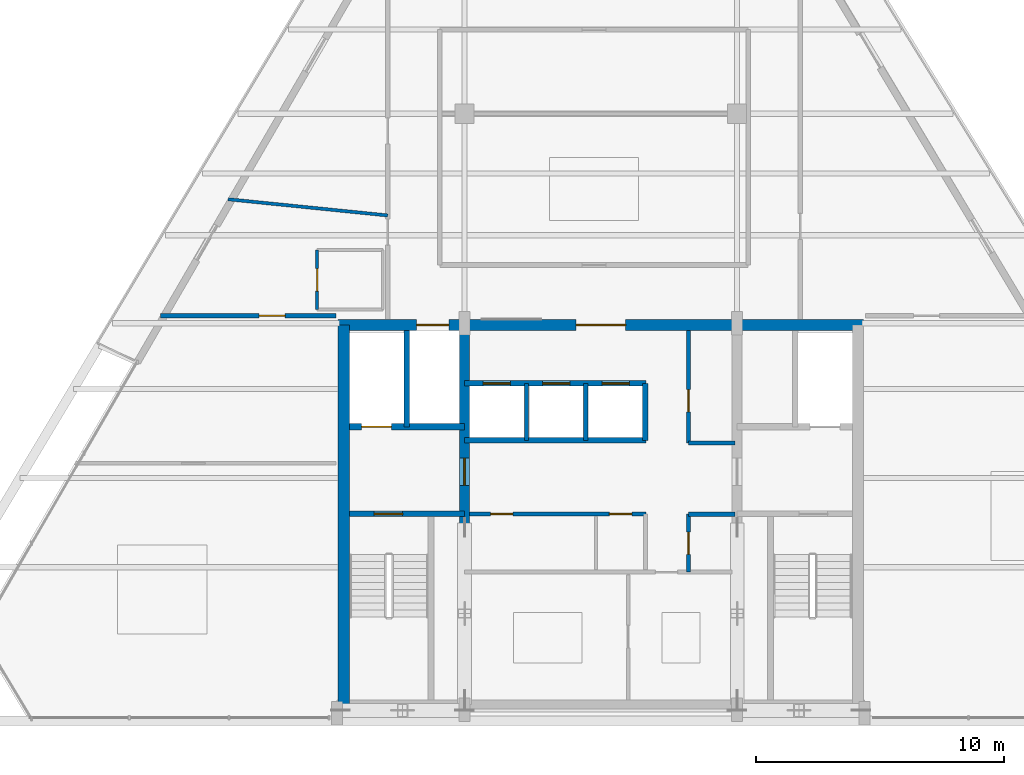
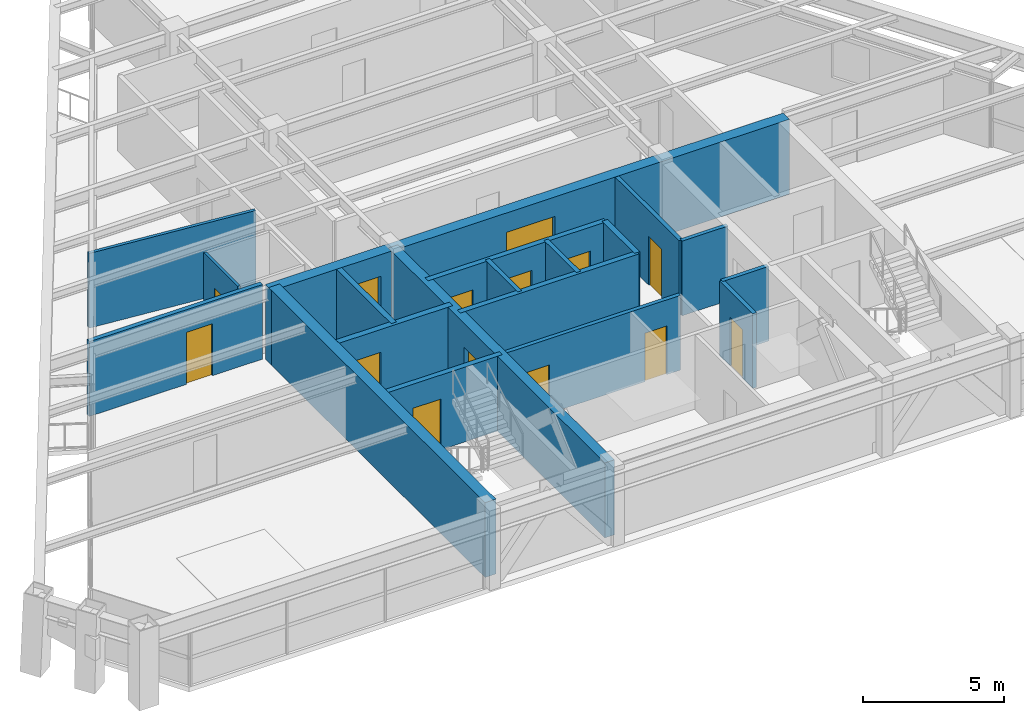
# One storey, part 9 of 13: 19 walls, 14 doors, 14 openings.
"""IFC4 building model written with IfcOpenShell, lengths in metres."""

import ifcopenshell
import ifcopenshell.guid

model = None  # the IFC model being written
_history = None  # IfcOwnerHistory: only IFC2X3 demands one
_inside = {}  # id of a spatial element -> (the spatial element, [elements in it])
_under = {}  # id of a project, library or spatial element -> (it, [spatial elements below it])
_declared = {}  # id of a project -> (the project, [libraries it declares])
_typed = {}  # id of a type object -> (the type object, [elements of that type])
_made_of = {}  # id of a material, layer set ... -> (it, [elements and type objects made of it])


def new_model(schema):
    """Start an empty IFC model of exactly this schema.

    Asked for "IFC4X3", IfcOpenShell would pick the latest addendum, in which some entities
    have other attributes; the version numbers below select the first issue.
    IFC2X3 requires an IfcOwnerHistory on every rooted entity: one is made here for all.
    """
    global model, _history
    if schema == "IFC4X3":
        model = ifcopenshell.file(schema_version=(4, 3, 0, 0))
    else:
        model = ifcopenshell.file(schema=schema)
    _inside.clear()
    _under.clear()
    _declared.clear()
    _typed.clear()
    _made_of.clear()
    _history = None
    if model.schema == "IFC2X3":
        org = make("IfcOrganization", Name="unknown")
        user = make(
            "IfcPersonAndOrganization",
            ThePerson=make("IfcPerson", FamilyName="unknown"),
            TheOrganization=org,
        )
        app = make(
            "IfcApplication",
            ApplicationDeveloper=org,
            Version="unknown",
            ApplicationFullName="unknown",
            ApplicationIdentifier="unknown",
        )
        _history = make(
            "IfcOwnerHistory",
            OwningUser=user,
            OwningApplication=app,
            ChangeAction="ADDED",
            CreationDate=0,
        )
    return model


def make(cls, **values):
    """One entity of the class cls with the attributes given. An attribute that is None is left unset."""
    return model.create_entity(
        cls, **{name: value for name, value in values.items() if value is not None}
    )


def rooted(cls, **values):
    """An entity with a GlobalId (a new one), such as an element, a storey or a relation."""
    return make(cls, GlobalId=ifcopenshell.guid.new(), OwnerHistory=_history, **values)


def si_unit(unit_type, name, prefix=None):
    """IfcSIUnit, for example si_unit("LENGTHUNIT", "METRE", prefix="MILLI")."""
    return make("IfcSIUnit", UnitType=unit_type, Prefix=prefix, Name=name)


def assignment(units):
    """IfcUnitAssignment: the units of a project."""
    return None if units is None else make("IfcUnitAssignment", Units=units)


def point(xyz):
    """IfcCartesianPoint."""
    return None if xyz is None else make("IfcCartesianPoint", Coordinates=xyz)


def direction(xyz):
    """IfcDirection."""
    return None if xyz is None else make("IfcDirection", DirectionRatios=xyz)


def frame(location, z_axis=None, x_axis=None):
    """IfcAxis2Placement3D, a coordinate frame: its origin and axes. An axis left out is left unset."""
    return make(
        "IfcAxis2Placement3D",
        Location=point(location),
        Axis=direction(z_axis),
        RefDirection=direction(x_axis),
    )


def frame_2d(location, x_axis=None):
    """IfcAxis2Placement2D, a coordinate frame in the plane: its origin and x axis."""
    return make(
        "IfcAxis2Placement2D", Location=point(location), RefDirection=direction(x_axis)
    )


def origin():
    """The frame at (0, 0, 0) with its axes left unset."""
    return frame((0.0, 0.0, 0.0))


def place(relative_to, where):
    """IfcLocalPlacement: puts the frame where relative to a parent placement (None: the world)."""
    return make(
        "IfcLocalPlacement", PlacementRelTo=relative_to, RelativePlacement=where
    )


def context(
    kind, dimensions, precision=None, world=None, true_north=None, identifier=None
):
    """IfcGeometricRepresentationContext, for example the 3D "Model" context."""
    return make(
        "IfcGeometricRepresentationContext",
        ContextIdentifier=identifier,
        ContextType=kind,
        CoordinateSpaceDimension=dimensions,
        Precision=precision,
        WorldCoordinateSystem=world,
        TrueNorth=true_north,
    )


def subcontext(parent, identifier, kind, view, scale=None):
    """IfcGeometricRepresentationSubContext, for example "Body" below "Model"."""
    return make(
        "IfcGeometricRepresentationSubContext",
        ContextIdentifier=identifier,
        ContextType=kind,
        ParentContext=parent,
        TargetScale=scale,
        TargetView=view,
    )


def project(units=None, contexts=None):
    """IfcProject with its units and contexts."""
    return rooted(
        "IfcProject",
        Name="project",
        RepresentationContexts=contexts,
        UnitsInContext=assignment(units),
    )


def spatial(cls, under=None, at=None, **own):
    """A site, building, storey or space (cls), placed at a placement, below another one or the project."""
    s = rooted(cls, ObjectPlacement=at, **own)
    if under is not None:
        _under.setdefault(under.id(), (under, []))[1].append(s)
    return s


def profile(cls, at=None, kind="AREA", **sizes):
    """A parametric profile (cls). Its sizes go by their IFC names, for example OverallWidth=200.0."""
    return make(cls, ProfileType=kind, Position=at, **sizes)


def rectangle(**sizes):
    """IfcRectangleProfileDef."""
    return profile("IfcRectangleProfileDef", **sizes)


def extrude(swept, where, along, depth):
    """IfcExtrudedAreaSolid: the profile swept, set in the frame where, extruded along a direction by depth."""
    return make(
        "IfcExtrudedAreaSolid",
        SweptArea=swept,
        Position=where,
        ExtrudedDirection=direction(along),
        Depth=depth,
    )


def shape(context_of_items, identifier, shape_type, items):
    """IfcShapeRepresentation: the items that make up one representation, for example the "Body"."""
    return make(
        "IfcShapeRepresentation",
        ContextOfItems=context_of_items,
        RepresentationIdentifier=identifier,
        RepresentationType=shape_type,
        Items=items,
    )


def source(mapping_origin, context_of_items, identifier, shape_type, items):
    """IfcRepresentationMap: a shape defined once, which mapped items show again and again."""
    return make(
        "IfcRepresentationMap",
        MappingOrigin=mapping_origin,
        MappedRepresentation=shape(context_of_items, identifier, shape_type, items),
    )


def transform(
    local_origin,
    x_axis=None,
    y_axis=None,
    z_axis=None,
    scale=None,
    scale2=None,
    scale3=None,
    uniform=True,
):
    """IfcCartesianTransformationOperator3D, or its non-uniform kind. x_axis, y_axis, z_axis: its Axis1, 2, 3."""
    if uniform:
        return make(
            "IfcCartesianTransformationOperator3D",
            Axis1=direction(x_axis),
            Axis2=direction(y_axis),
            LocalOrigin=point(local_origin),
            Scale=scale,
            Axis3=direction(z_axis),
        )
    return make(
        "IfcCartesianTransformationOperator3DnonUniform",
        Axis1=direction(x_axis),
        Axis2=direction(y_axis),
        LocalOrigin=point(local_origin),
        Scale=scale,
        Axis3=direction(z_axis),
        Scale2=scale2,
        Scale3=scale3,
    )


def mapped(mapping_source, mapping_target):
    """IfcMappedItem: shows the shape of a source again, moved by a transform."""
    return make(
        "IfcMappedItem", MappingSource=mapping_source, MappingTarget=mapping_target
    )


def material(Name=None, Category=None):
    """IfcMaterial."""
    return make("IfcMaterial", Name=Name, Category=Category)


def layer(
    of_material, thickness, ventilated=None, Name=None, Category=None, Priority=None
):
    """IfcMaterialLayer: one layer of a wall or slab, of a material (None: an air gap)."""
    return make(
        "IfcMaterialLayer",
        Material=of_material,
        LayerThickness=thickness,
        IsVentilated=ventilated,
        Name=Name,
        Category=Category,
        Priority=Priority,
    )


def layer_set(layers, Name=None):
    """IfcMaterialLayerSet."""
    return make("IfcMaterialLayerSet", MaterialLayers=layers, LayerSetName=Name)


def made_of(thing, what):
    """Note that an element or type object is made of a material, layer set ...; save() writes the relation."""
    if what is not None:
        _made_of.setdefault(what.id(), (what, []))[1].append(thing)
    return thing


def type_object(cls, material=None, **own):
    """A type object (cls), such as IfcWallType, which elements share."""
    return made_of(rooted(cls, **own), material)


def type_shapes(of_type, sources):
    """Give a type object the sources (RepresentationMaps) that its elements show as mapped items."""
    of_type.RepresentationMaps = sources


def element(
    cls,
    number,
    at=None,
    inside=None,
    cuts=None,
    type_object=None,
    material=None,
    context=None,
    identifier="Body",
    shape_type=None,
    held_by="IfcProductDefinitionShape",
    body=None,
    shapes=None,
    **own,
):
    """One element of the class cls, such as IfcWall. Its Tag is "e" and its number.

    at: its placement. inside: the storey or other place that contains it. cuts: it is an
    opening in that element (IfcRelVoidsElement). A single representation is given by context,
    identifier, shape_type and body (its items); several are given by shapes. held_by: the class
    of the entity that holds the representations. save() writes the other relations.
    """
    e = rooted(cls, Tag="e%d" % number, ObjectPlacement=at, **own)
    if body is not None:
        shapes = [shape(context, identifier, shape_type, body)]
    if shapes is not None:
        e.Representation = make(held_by, Representations=shapes)
    if inside is not None:
        _inside.setdefault(inside.id(), (inside, []))[1].append(e)
    if cuts is not None:
        rooted(
            "IfcRelVoidsElement", RelatingBuildingElement=cuts, RelatedOpeningElement=e
        )
    if type_object is not None:
        _typed.setdefault(type_object.id(), (type_object, []))[1].append(e)
    return made_of(e, material)


def fill(opening, filler):
    """IfcRelFillsElement: the door or window that sits in an opening."""
    return rooted(
        "IfcRelFillsElement",
        RelatingOpeningElement=opening,
        RelatedBuildingElement=filler,
    )


def aggregate(whole, parts):
    """IfcRelAggregates: a whole, such as a stair, and the parts it consists of."""
    return rooted("IfcRelAggregates", RelatingObject=whole, RelatedObjects=parts)


def save(model, path):
    """Write the relations noted so far, then the file.

    IfcRelAggregates (storeys below a building ...), IfcRelContainedInSpatialStructure (elements
    in a storey), IfcRelDefinesByType, IfcRelAssociatesMaterial and IfcRelDeclares: one each for
    every whole, place, type object, material and project.
    """
    for whole, parts in _under.values():
        aggregate(whole, parts)
    for where, things in _inside.values():
        rooted(
            "IfcRelContainedInSpatialStructure",
            RelatedElements=things,
            RelatingStructure=where,
        )
    for kind, things in _typed.values():
        rooted("IfcRelDefinesByType", RelatedObjects=things, RelatingType=kind)
    for what, things in _made_of.values():
        rooted("IfcRelAssociatesMaterial", RelatedObjects=things, RelatingMaterial=what)
    for by, libraries in _declared.values():
        rooted("IfcRelDeclares", RelatingContext=by, RelatedDefinitions=libraries)
    model.write(path)


model = new_model("IFC4")

# Units and contexts
model_context = context("Model", 3, precision=1e-05, world=origin(), true_north=direction((0.0, 1.0)))
body_context = subcontext(model_context, "Body", "Model", "MODEL_VIEW")
ifc_project = project(units=[si_unit("LENGTHUNIT", "METRE"), si_unit("AREAUNIT", "SQUARE_METRE"), si_unit("VOLUMEUNIT", "CUBIC_METRE"), si_unit("PLANEANGLEUNIT", "RADIAN"), si_unit("MASSUNIT", "GRAM", prefix="KILO")], contexts=[model_context])

# Site, building, storey
site_placement = place(None, origin())
site = spatial("IfcSite", under=ifc_project, at=site_placement, CompositionType="ELEMENT")
building_placement = place(site_placement, origin())
building = spatial("IfcBuilding", under=site, at=building_placement, Name="Varnakhor Terracotta Tower", CompositionType="ELEMENT")
storey_placement = place(building_placement, frame((0.0, 0.0, 266.10009765625)))
storey = spatial("IfcBuildingStorey", under=building, at=storey_placement, Name="L69", CompositionType="ELEMENT", Elevation=266.10009765625)

# Wall, opening, door
ifc_material_1 = material(Name="Moisture-Resistant Tile-Backed Partition", Category="gypsum")
ifc_layer_1 = layer(ifc_material_1, 0.114990234375, Name="Moisture-Resistant Tile-Backed Partition")
ifc_layer_set_1 = layer_set([ifc_layer_1], Name="Moisture-Resistant Tile-Backed Partition")
wall_type_1 = type_object("IfcWallType", Name="WAL-BATH-115", PredefinedType="PARTITIONING", material=ifc_layer_set_1)
wall_1_placement = place(storey_placement, frame((-11.449951171875, 16.60009765625, 0.0), z_axis=(0.0, 0.0, 1.0), x_axis=(0.0, 1.0, 0.0)))
wall_1 = element("IfcWall", 1, at=wall_1_placement, inside=storey, type_object=wall_type_1, Name="L69 En-Suite 1 Wall W", PredefinedType="PARTITIONING", context=body_context, shape_type="SweptSolid", body=[
    extrude(rectangle(XDim=2.39990234375, YDim=0.114990234375, at=frame_2d((1.199951171875, 0.0))), origin(), (0.0, 0.0, 1.0), 3.23193359375),
])
opening_1_placement = place(wall_1_placement, frame((0.75, 0.0, 0.0)))
opening_1 = element("IfcOpeningElement", 2, at=opening_1_placement, cuts=wall_1, Name="Opening DR-93", PredefinedType="OPENING", context=body_context, shape_type="SweptSolid", body=[
    extrude(rectangle(XDim=0.89990234375, YDim=2.14990234375, at=frame_2d((0.449951171875, 1.074951171875))), frame((0.0, 0.0673828125, 0.0), z_axis=(0.0, -1.0, 0.0), x_axis=(1.0, 0.0, 0.0)), (0.0, 0.0, 1.0), 0.135009765625),
])
ifc_material_2 = material(Name="Moisture-Resistant Accessible Bathroom Door", Category="wood")
door_type_1 = type_object("IfcDoorType", Name="DR-BATH-900X2150", OperationType="NOTDEFINED", PredefinedType="DOOR", material=ifc_material_2)
shared_shape_1 = source(origin(), body_context, "Body", "SweptSolid", [
    extrude(rectangle(XDim=0.89990234375, YDim=2.14990234375, at=frame_2d((0.449951171875, 1.074951171875))), frame((0.0, 0.02490234375, 0.0), z_axis=(0.0, -1.0, 0.0), x_axis=(1.0, 0.0, 0.0)), (0.0, 0.0, 1.0), 0.050048828125),
])
type_shapes(door_type_1, [shared_shape_1])
door_1_placement = place(opening_1_placement, origin())
door_1 = element("IfcDoor", 3, at=door_1_placement, inside=storey, type_object=door_type_1, Name="L69 En-Suite Bathroom 1 Door", OperationType="SINGLE_SWING_RIGHT", OverallHeight=2.14990234375, OverallWidth=0.89990234375, PredefinedType="DOOR", context=body_context, shape_type="MappedRepresentation", body=[
    mapped(shared_shape_1, transform((0.0, 0.0, 0.0), scale=1.0)),
])
fill(opening_1, door_1)

# Wall, openings, doors
ifc_material_3 = material(Name="Concrete C50/60", Category="concrete")
ifc_layer_2 = layer(ifc_material_3, 0.449951171875, Name="Concrete C50/60")
ifc_layer_set_2 = layer_set([ifc_layer_2], Name="Concrete C50/60")
wall_type_2 = type_object("IfcWallType", Name="WAL-CORE-450", PredefinedType="SHEAR", material=ifc_layer_set_2)
wall_2_placement = place(storey_placement, frame((-10.60009765625, 15.97509765625, 0.0), z_axis=(0.0, 0.0, 1.0), x_axis=(1.0, 0.0, 0.0)))
wall_2 = element("IfcWall", 4, at=wall_2_placement, inside=storey, type_object=wall_type_2, Name="L69 North Core Shear Wall", PredefinedType="SHEAR", context=body_context, shape_type="SweptSolid", body=[
    extrude(rectangle(XDim=21.2001953125, YDim=0.449951171875, at=frame_2d((10.60009765625, 0.0))), origin(), (0.0, 0.0, 1.0), 3.239990234375),
])
opening_2_placement = place(wall_2_placement, frame((3.169921875, 0.0, 0.0)))
opening_2 = element("IfcOpeningElement", 5, at=opening_2_placement, cuts=wall_2, Name="Opening LD-03", PredefinedType="OPENING", context=body_context, shape_type="SweptSolid", body=[
    extrude(rectangle(XDim=1.300048828125, YDim=2.300048828125, at=frame_2d((0.64990234375, 1.14990234375))), frame((0.0, 0.23486328125, 0.0), z_axis=(0.0, -1.0, 0.0), x_axis=(1.0, 0.0, 0.0)), (0.0, 0.0, 1.0), 0.469970703125),
])
opening_3_placement = place(wall_2_placement, frame((9.60009765625, 0.0, 0.0)))
opening_3 = element("IfcOpeningElement", 6, at=opening_3_placement, cuts=wall_2, Name="Opening DR-32", PredefinedType="OPENING", context=body_context, shape_type="SweptSolid", body=[
    extrude(rectangle(XDim=2.0, YDim=2.39990234375, at=frame_2d((1.0, 1.199951171875))), frame((0.0, 0.23486328125, 0.0), z_axis=(0.0, -1.0, 0.0), x_axis=(1.0, 0.0, 0.0)), (0.0, 0.0, 1.0), 0.469970703125),
])
ifc_material_4 = material(Name="Heavy-Duty Goods Sliding Lift Landing Door", Category="steel")
door_type_2 = type_object("IfcDoorType", Name="LD-SRV-1300X2300", OperationType="NOTDEFINED", PredefinedType="DOOR", material=ifc_material_4)
shared_shape_2 = source(origin(), body_context, "Body", "SweptSolid", [
    extrude(rectangle(XDim=1.300048828125, YDim=2.300048828125, at=frame_2d((0.64990234375, 1.14990234375))), frame((0.0, 0.02490234375, 0.0), z_axis=(0.0, -1.0, 0.0), x_axis=(1.0, 0.0, 0.0)), (0.0, 0.0, 1.0), 0.050048828125),
])
type_shapes(door_type_2, [shared_shape_2])
door_2_placement = place(opening_2_placement, origin())
door_2 = element("IfcDoor", 7, at=door_2_placement, inside=storey, type_object=door_type_2, Name="L69 Service Lift SVL-1 Landing Door", OperationType="SLIDING_TO_RIGHT", OverallHeight=2.300048828125, OverallWidth=1.300048828125, PredefinedType="DOOR", context=body_context, shape_type="MappedRepresentation", body=[
    mapped(shared_shape_2, transform((0.0, 0.0, 0.0), scale=1.0)),
])
fill(opening_2, door_2)
ifc_material_5 = material(Name="Acoustic Double Assembly Fire Door", Category="wood")
door_type_3 = type_object("IfcDoorType", Name="DR-HALL-2000X2400", OperationType="NOTDEFINED", PredefinedType="DOOR", material=ifc_material_5)
shared_shape_3 = source(origin(), body_context, "Body", "SweptSolid", [
    extrude(rectangle(XDim=2.0, YDim=2.39990234375, at=frame_2d((1.0, 1.199951171875))), frame((0.0, 0.02490234375, 0.0), z_axis=(0.0, -1.0, 0.0), x_axis=(1.0, 0.0, 0.0)), (0.0, 0.0, 1.0), 0.050048828125),
])
type_shapes(door_type_3, [shared_shape_3])
door_3_placement = place(opening_3_placement, origin())
door_3 = element("IfcDoor", 8, at=door_3_placement, inside=storey, type_object=door_type_3, Name="L69 Core Main Lobby Double Door", OperationType="DOUBLE_DOOR_SINGLE_SWING", OverallHeight=2.39990234375, OverallWidth=2.0, PredefinedType="DOOR", context=body_context, shape_type="MappedRepresentation", body=[
    mapped(shared_shape_3, transform((0.0, 0.0, 0.0), scale=1.0)),
])
fill(opening_3, door_3)

# Wall
wall_3_placement = place(storey_placement, frame((-10.375, 0.625, 0.0), z_axis=(0.0, 0.0, 1.0), x_axis=(0.0, 1.0, 0.0)))
element("IfcWall", 9, at=wall_3_placement, inside=storey, type_object=wall_type_2, Name="L69 West Core Shear Wall", PredefinedType="SHEAR", context=body_context, shape_type="SweptSolid", body=[
    extrude(rectangle(XDim=15.35009765625, YDim=0.449951171875, at=frame_2d((7.675048828125, 0.0))), origin(), (0.0, 0.0, 1.0), 3.239990234375),
])

# Wall, opening, door
ifc_layer_3 = layer(ifc_material_3, 0.39990234375, Name="Concrete C50/60")
ifc_layer_set_3 = layer_set([ifc_layer_3], Name="Concrete C50/60")
wall_type_3 = type_object("IfcWallType", Name="WAL-CORE-WEB-400", PredefinedType="SHEAR", material=ifc_layer_set_3)
wall_4_placement = place(storey_placement, frame((-5.5, 0.625, 0.0), z_axis=(0.0, 0.0, 1.0), x_axis=(0.0, 1.0, 0.0)))
wall_4 = element("IfcWall", 10, at=wall_4_placement, inside=storey, type_object=wall_type_3, Name="L69 West Core Web Shear Wall", PredefinedType="SHEAR", context=body_context, shape_type="SweptSolid", body=[
    extrude(rectangle(XDim=15.35009765625, YDim=0.39990234375, at=frame_2d((7.675048828125, 0.0))), origin(), (0.0, 0.0, 1.0), 3.239990234375),
])
opening_4_placement = place(wall_4_placement, frame((8.875, 0.0, 0.0)))
opening_4 = element("IfcOpeningElement", 11, at=opening_4_placement, cuts=wall_4, Name="Opening DR-25", PredefinedType="OPENING", context=body_context, shape_type="SweptSolid", body=[
    extrude(rectangle(XDim=1.10009765625, YDim=2.199951171875, at=frame_2d((0.550048828125, 1.10009765625))), frame((0.0, 0.2099609375, 0.0), z_axis=(0.0, -1.0, 0.0), x_axis=(1.0, 0.0, 0.0)), (0.0, 0.0, 1.0), 0.419921875),
])
ifc_material_6 = material(Name="Firefighting Lobby Self-Closing Fire Door", Category="steel")
door_type_4 = type_object("IfcDoorType", Name="DR-FFL-1100X2200", OperationType="NOTDEFINED", PredefinedType="DOOR", material=ifc_material_6)
shared_shape_4 = source(origin(), body_context, "Body", "SweptSolid", [
    extrude(rectangle(XDim=1.10009765625, YDim=2.199951171875, at=frame_2d((0.550048828125, 1.10009765625))), frame((0.0, 0.02490234375, 0.0), z_axis=(0.0, -1.0, 0.0), x_axis=(1.0, 0.0, 0.0)), (0.0, 0.0, 1.0), 0.050048828125),
])
type_shapes(door_type_4, [shared_shape_4])
door_4_placement = place(opening_4_placement, origin())
door_4 = element("IfcDoor", 12, at=door_4_placement, inside=storey, type_object=door_type_4, Name="L69 West Firefighting Lobby Door", OperationType="SINGLE_SWING_LEFT", OverallHeight=2.199951171875, OverallWidth=1.10009765625, PredefinedType="DOOR", context=body_context, shape_type="MappedRepresentation", body=[
    mapped(shared_shape_4, transform((0.0, 0.0, 0.0), scale=1.0)),
])
fill(opening_4, door_4)

ifc_material_7 = material(Name="Fire-Rated Gypsum Stud Partition", Category="gypsum")
ifc_layer_4 = layer(ifc_material_7, 0.18505859375, Name="Fire-Rated Gypsum Stud Partition")
ifc_layer_set_4 = layer_set([ifc_layer_4], Name="Fire-Rated Gypsum Stud Partition")
wall_type_4 = type_object("IfcWallType", Name="WAL-CORR-185", PredefinedType="PARTITIONING", material=ifc_layer_set_4)
wall_5_placement = place(storey_placement, frame((-17.770263671875, 16.35009765625, 0.0), z_axis=(0.0, 0.0, 1.0), x_axis=(1.0, 0.0, 0.0)))
wall_5 = element("IfcWall", 13, at=wall_5_placement, inside=storey, type_object=wall_type_4, Name="L69 South West Guest Entry Wall", PredefinedType="PARTITIONING", context=body_context, shape_type="SweptSolid", body=[
    extrude(rectangle(XDim=7.09033203125, YDim=0.18505859375, at=frame_2d((3.545166015625, 0.0))), origin(), (0.0, 0.0, 1.0), 3.23193359375),
])
opening_5_placement = place(wall_5_placement, frame((3.981689453125, 0.0, 0.0)))
opening_5 = element("IfcOpeningElement", 14, at=opening_5_placement, cuts=wall_5, Name="Opening DR-95", PredefinedType="OPENING", context=body_context, shape_type="SweptSolid", body=[
    extrude(rectangle(XDim=1.050048828125, YDim=2.25, at=frame_2d((0.52490234375, 1.125))), frame((0.0, 0.1025390625, 0.0), z_axis=(0.0, -1.0, 0.0), x_axis=(1.0, 0.0, 0.0)), (0.0, 0.0, 1.0), 0.205078125),
])
ifc_material_8 = material(Name="Solid-Core Timber Tenant/Hotel Entrance Door", Category="wood")
door_type_5 = type_object("IfcDoorType", Name="DR-SUITE-1050X2250", OperationType="NOTDEFINED", PredefinedType="DOOR", material=ifc_material_8)
shared_shape_5 = source(origin(), body_context, "Body", "SweptSolid", [
    extrude(rectangle(XDim=1.050048828125, YDim=2.25, at=frame_2d((0.52490234375, 1.125))), frame((0.0, 0.02490234375, 0.0), z_axis=(0.0, -1.0, 0.0), x_axis=(1.0, 0.0, 0.0)), (0.0, 0.0, 1.0), 0.050048828125),
])
type_shapes(door_type_5, [shared_shape_5])
door_5_placement = place(opening_5_placement, origin())
door_5 = element("IfcDoor", 15, at=door_5_placement, inside=storey, type_object=door_type_5, Name="L69 SW Suite Entry Door", OperationType="SINGLE_SWING_RIGHT", OverallHeight=2.25, OverallWidth=1.050048828125, PredefinedType="DOOR", context=body_context, shape_type="MappedRepresentation", body=[
    mapped(shared_shape_5, transform((0.0, 0.0, 0.0), scale=1.0)),
])
fill(opening_5, door_5)

ifc_material_9 = material(Name="Concrete C40/50", Category="concrete")
ifc_layer_5 = layer(ifc_material_9, 0.219970703125, Name="Concrete C40/50")
ifc_layer_set_5 = layer_set([ifc_layer_5], Name="Concrete C40/50")
wall_type_5 = type_object("IfcWallType", Name="WAL-FFLOBBY-220", PredefinedType="SOLIDWALL", material=ifc_layer_set_5)
wall_6_placement = place(storey_placement, frame((-5.5, 8.35009765625, 0.0), z_axis=(0.0, 0.0, 1.0), x_axis=(-1.0, 0.0, 0.0)))
wall_6 = element("IfcWall", 16, at=wall_6_placement, inside=storey, type_object=wall_type_5, Name="L69 West Firefighting Lobby Stair Wall", PredefinedType="SOLIDWALL", context=body_context, shape_type="SweptSolid", body=[
    extrude(rectangle(XDim=4.64990234375, YDim=0.219970703125, at=frame_2d((2.324951171875, 0.0))), origin(), (0.0, 0.0, 1.0), 3.239990234375),
])
opening_6_placement = place(wall_6_placement, frame((2.5, 0.0, 0.0)))
opening_6 = element("IfcOpeningElement", 17, at=opening_6_placement, cuts=wall_6, Name="Opening DR-34", PredefinedType="OPENING", context=body_context, shape_type="SweptSolid", body=[
    extrude(rectangle(XDim=1.14990234375, YDim=2.199951171875, at=frame_2d((0.574951171875, 1.10009765625))), frame((0.0, 0.1201171875, 0.0), z_axis=(0.0, -1.0, 0.0), x_axis=(1.0, 0.0, 0.0)), (0.0, 0.0, 1.0), 0.239990234375),
])
ifc_material_10 = material(Name="Self-Closing Smoke-Sealed Steel Fire Door", Category="steel")
door_type_6 = type_object("IfcDoorType", Name="DR-STAIR-1150X2200", OperationType="NOTDEFINED", PredefinedType="DOOR", material=ifc_material_10)
shared_shape_6 = source(origin(), body_context, "Body", "SweptSolid", [
    extrude(rectangle(XDim=1.14990234375, YDim=2.199951171875, at=frame_2d((0.574951171875, 1.10009765625))), frame((0.0, 0.02490234375, 0.0), z_axis=(0.0, -1.0, 0.0), x_axis=(1.0, 0.0, 0.0)), (0.0, 0.0, 1.0), 0.050048828125),
])
type_shapes(door_type_6, [shared_shape_6])
door_6_placement = place(opening_6_placement, origin())
door_6 = element("IfcDoor", 18, at=door_6_placement, inside=storey, type_object=door_type_6, Name="L69 Exit Stair ST-1 Fire Door", OperationType="SINGLE_SWING_RIGHT", OverallHeight=2.199951171875, OverallWidth=1.14990234375, PredefinedType="DOOR", context=body_context, shape_type="MappedRepresentation", body=[
    mapped(shared_shape_6, transform((0.0, 0.0, 0.0), scale=1.0)),
])
fill(opening_6, door_6)

# Walls
ifc_material_11 = material(Name="Acoustic Hotel Room Partition", Category="gypsum")
ifc_layer_6 = layer(ifc_material_11, 0.1298828125, Name="Acoustic Hotel Room Partition")
ifc_layer_set_6 = layer_set([ifc_layer_6], Name="Acoustic Hotel Room Partition")
wall_type_6 = type_object("IfcWallType", Name="WAL-PART-130", PredefinedType="PARTITIONING", material=ifc_layer_set_6)
wall_7_placement = place(storey_placement, frame((-15.0419921875, 21.052490234375, 0.0), z_axis=(0.0, 0.0, 1.0), x_axis=(0.994907937397, -0.100787876778, 0.0)))
element("IfcWall", 19, at=wall_7_placement, inside=storey, type_object=wall_type_6, Name="L69 West Key Cut 1", PredefinedType="PARTITIONING", context=body_context, shape_type="SweptSolid", body=[
    extrude(rectangle(XDim=6.474853515625, YDim=0.1298828125, at=frame_2d((3.2373046875, 0.0))), origin(), (0.0, 0.0, 1.0), 3.23193359375),
])
ifc_layer_7 = layer(ifc_material_9, 0.179931640625, Name="Concrete C40/50")
ifc_layer_set_7 = layer_set([ifc_layer_7], Name="Concrete C40/50")
wall_type_7 = type_object("IfcWallType", Name="WAL-SHAFT-180", PredefinedType="SOLIDWALL", material=ifc_layer_set_7)
for number, where, z_axis, x_axis, name in (
    (20, (-3.0, 11.320068359375, 0.0), (0.0, 0.0, 1.0), (0.0, 1.0, 0.0), "L69 PL-3A Divider"),
    (21, (-0.60009765625, 11.320068359375, 0.0), (0.0, 0.0, 1.0), (0.0, 1.0, 0.0), "L69 PL-3B Divider"),
):
    element("IfcWall", number, at=place(storey_placement, frame(where, z_axis=z_axis, x_axis=x_axis)), inside=storey, type_object=wall_type_7, Name=name, PredefinedType="SOLIDWALL", context=body_context, shape_type="SweptSolid", body=[
        extrude(rectangle(XDim=2.300048828125, YDim=0.179931640625, at=frame_2d((1.14990234375, 0.0))), origin(), (0.0, 0.0, 1.0), 3.239990234375),
    ])
ifc_layer_8 = layer(ifc_material_9, 0.219970703125, Name="Concrete C40/50")
ifc_layer_set_8 = layer_set([ifc_layer_8], Name="Concrete C40/50")
wall_type_8 = type_object("IfcWallType", Name="WAL-SHAFT-220", PredefinedType="SOLIDWALL", material=ifc_layer_set_8)
wall_8_placement = place(storey_placement, frame((-7.840087890625, 11.8701171875, 0.0), z_axis=(0.0, 0.0, 1.0), x_axis=(0.0, 1.0, 0.0)))
element("IfcWall", 22, at=wall_8_placement, inside=storey, type_object=wall_type_8, Name="L69 Lift FFL-1 and SVL-1 Divider Wall", PredefinedType="SOLIDWALL", context=body_context, shape_type="SweptSolid", body=[
    extrude(rectangle(XDim=3.8798828125, YDim=0.219970703125, at=frame_2d((1.93994140625, 0.0))), origin(), (0.0, 0.0, 1.0), 3.239990234375),
])
wall_9_placement = place(storey_placement, frame((-5.5, 11.320068359375, 0.0), z_axis=(0.0, 0.0, 1.0), x_axis=(1.0, 0.0, 0.0)))
element("IfcWall", 23, at=wall_9_placement, inside=storey, type_object=wall_type_8, Name="L69 Bank 3 South Shaft Wall", PredefinedType="SOLIDWALL", context=body_context, shape_type="SweptSolid", body=[
    extrude(rectangle(XDim=7.320068359375, YDim=0.219970703125, at=frame_2d((3.66015625, 0.0))), origin(), (0.0, 0.0, 1.0), 3.239990234375),
])

# Wall, openings, doors
wall_10_placement = place(storey_placement, frame((-5.5, 13.6201171875, 0.0), z_axis=(0.0, 0.0, 1.0), x_axis=(1.0, 0.0, 0.0)))
wall_10 = element("IfcWall", 24, at=wall_10_placement, inside=storey, type_object=wall_type_8, Name="L69 Bank 3 North Shaft Wall", PredefinedType="SOLIDWALL", context=body_context, shape_type="SweptSolid", body=[
    extrude(rectangle(XDim=7.320068359375, YDim=0.219970703125, at=frame_2d((3.66015625, 0.0))), origin(), (0.0, 0.0, 1.0), 3.239990234375),
])
opening_7_placement = place(wall_10_placement, frame((0.75, 0.0, 0.0)))
opening_7 = element("IfcOpeningElement", 25, at=opening_7_placement, cuts=wall_10, Name="Opening LD-01", PredefinedType="OPENING", context=body_context, shape_type="SweptSolid", body=[
    extrude(rectangle(XDim=1.10009765625, YDim=2.199951171875, at=frame_2d((0.550048828125, 1.10009765625))), frame((0.0, 0.1201171875, 0.0), z_axis=(0.0, -1.0, 0.0), x_axis=(1.0, 0.0, 0.0)), (0.0, 0.0, 1.0), 0.239990234375),
])
opening_8_placement = place(wall_10_placement, frame((3.14990234375, 0.0, 0.0)))
opening_8 = element("IfcOpeningElement", 26, at=opening_8_placement, cuts=wall_10, Name="Opening LD-01", PredefinedType="OPENING", context=body_context, shape_type="SweptSolid", body=[
    extrude(rectangle(XDim=1.10009765625, YDim=2.199951171875, at=frame_2d((0.550048828125, 1.10009765625))), frame((0.0, 0.1201171875, 0.0), z_axis=(0.0, -1.0, 0.0), x_axis=(1.0, 0.0, 0.0)), (0.0, 0.0, 1.0), 0.239990234375),
])
opening_9_placement = place(wall_10_placement, frame((5.550048828125, 0.0, 0.0)))
opening_9 = element("IfcOpeningElement", 27, at=opening_9_placement, cuts=wall_10, Name="Opening LD-01", PredefinedType="OPENING", context=body_context, shape_type="SweptSolid", body=[
    extrude(rectangle(XDim=1.10009765625, YDim=2.199951171875, at=frame_2d((0.550048828125, 1.10009765625))), frame((0.0, 0.1201171875, 0.0), z_axis=(0.0, -1.0, 0.0), x_axis=(1.0, 0.0, 0.0)), (0.0, 0.0, 1.0), 0.239990234375),
])
ifc_material_12 = material(Name="Brushed Stainless Steel Sliding Lift Landing Door", Category="steel")
door_type_7 = type_object("IfcDoorType", Name="LD-PASS-1100X2200", OperationType="NOTDEFINED", PredefinedType="DOOR", material=ifc_material_12)
shared_shape_7 = source(origin(), body_context, "Body", "SweptSolid", [
    extrude(rectangle(XDim=1.10009765625, YDim=2.199951171875, at=frame_2d((0.550048828125, 1.10009765625))), frame((0.0, 0.02490234375, 0.0), z_axis=(0.0, -1.0, 0.0), x_axis=(1.0, 0.0, 0.0)), (0.0, 0.0, 1.0), 0.050048828125),
])
type_shapes(door_type_7, [shared_shape_7])
door_7_placement = place(opening_7_placement, origin())
door_7 = element("IfcDoor", 28, at=door_7_placement, inside=storey, type_object=door_type_7, Name="L69 Passenger Lift PL-3A Landing Door", OperationType="SLIDING_TO_RIGHT", OverallHeight=2.199951171875, OverallWidth=1.10009765625, PredefinedType="DOOR", context=body_context, shape_type="MappedRepresentation", body=[
    mapped(shared_shape_7, transform((0.0, 0.0, 0.0), scale=1.0)),
])
fill(opening_7, door_7)
door_8_placement = place(opening_8_placement, origin())
door_8 = element("IfcDoor", 29, at=door_8_placement, inside=storey, type_object=door_type_7, Name="L69 Passenger Lift PL-3B Landing Door", OperationType="SLIDING_TO_RIGHT", OverallHeight=2.199951171875, OverallWidth=1.10009765625, PredefinedType="DOOR", context=body_context, shape_type="MappedRepresentation", body=[
    mapped(shared_shape_7, transform((0.0, 0.0, 0.0), scale=1.0)),
])
fill(opening_8, door_8)
door_9_placement = place(opening_9_placement, origin())
door_9 = element("IfcDoor", 30, at=door_9_placement, inside=storey, type_object=door_type_7, Name="L69 Passenger Lift PL-3C Landing Door", OperationType="SLIDING_TO_RIGHT", OverallHeight=2.199951171875, OverallWidth=1.10009765625, PredefinedType="DOOR", context=body_context, shape_type="MappedRepresentation", body=[
    mapped(shared_shape_7, transform((0.0, 0.0, 0.0), scale=1.0)),
])
fill(opening_9, door_9)

# Wall
wall_11_placement = place(storey_placement, frame((1.800048828125, 11.320068359375, 0.0), z_axis=(0.0, 0.0, 1.0), x_axis=(0.0, 1.0, 0.0)))
element("IfcWall", 31, at=wall_11_placement, inside=storey, type_object=wall_type_8, Name="L69 Bank 3 East Shaft Wall", PredefinedType="SOLIDWALL", context=body_context, shape_type="SweptSolid", body=[
    extrude(rectangle(XDim=2.300048828125, YDim=0.219970703125, at=frame_2d((1.14990234375, 0.0))), origin(), (0.0, 0.0, 1.0), 3.239990234375),
])

# Wall, opening, door
ifc_layer_9 = layer(ifc_material_9, 0.25, Name="Concrete C40/50")
ifc_layer_set_9 = layer_set([ifc_layer_9], Name="Concrete C40/50")
wall_type_9 = type_object("IfcWallType", Name="WAL-SHAFT-250", PredefinedType="SOLIDWALL", material=ifc_layer_set_9)
wall_12_placement = place(storey_placement, frame((-5.5, 11.8701171875, 0.0), z_axis=(0.0, 0.0, 1.0), x_axis=(-1.0, 0.0, 0.0)))
wall_12 = element("IfcWall", 32, at=wall_12_placement, inside=storey, type_object=wall_type_9, Name="L69 Lift FFL-1 Shaft Front Wall", PredefinedType="SOLIDWALL", context=body_context, shape_type="SweptSolid", body=[
    extrude(rectangle(XDim=4.64990234375, YDim=0.25, at=frame_2d((2.324951171875, 0.0))), origin(), (0.0, 0.0, 1.0), 3.239990234375),
])
opening_10_placement = place(wall_12_placement, frame((2.949951171875, 0.0, 0.0)))
opening_10 = element("IfcOpeningElement", 33, at=opening_10_placement, cuts=wall_12, Name="Opening LD-02", PredefinedType="OPENING", context=body_context, shape_type="SweptSolid", body=[
    extrude(rectangle(XDim=1.199951171875, YDim=2.25, at=frame_2d((0.60009765625, 1.125))), frame((0.0, 0.135009765625, 0.0), z_axis=(0.0, -1.0, 0.0), x_axis=(1.0, 0.0, 0.0)), (0.0, 0.0, 1.0), 0.27001953125),
])
ifc_material_13 = material(Name="Firefighting Stretcher Sliding Lift Landing Door", Category="steel")
door_type_8 = type_object("IfcDoorType", Name="LD-FFL-1200X2250", OperationType="NOTDEFINED", PredefinedType="DOOR", material=ifc_material_13)
shared_shape_8 = source(origin(), body_context, "Body", "SweptSolid", [
    extrude(rectangle(XDim=1.199951171875, YDim=2.25, at=frame_2d((0.60009765625, 1.125))), frame((0.0, 0.02490234375, 0.0), z_axis=(0.0, -1.0, 0.0), x_axis=(1.0, 0.0, 0.0)), (0.0, 0.0, 1.0), 0.050048828125),
])
type_shapes(door_type_8, [shared_shape_8])
door_10_placement = place(opening_10_placement, origin())
door_10 = element("IfcDoor", 34, at=door_10_placement, inside=storey, type_object=door_type_8, Name="L69 Firefighting Lift FFL-1 Landing Door", OperationType="SLIDING_TO_LEFT", OverallHeight=2.25, OverallWidth=1.199951171875, PredefinedType="DOOR", context=body_context, shape_type="MappedRepresentation", body=[
    mapped(shared_shape_8, transform((0.0, 0.0, 0.0), scale=1.0)),
])
fill(opening_10, door_10)

ifc_material_14 = material(Name="Acoustic Fire-Rated Partition", Category="gypsum")
ifc_layer_10 = layer(ifc_material_14, 0.1650390625, Name="Acoustic Fire-Rated Partition")
ifc_layer_set_10 = layer_set([ifc_layer_10], Name="Acoustic Fire-Rated Partition")
wall_type_10 = type_object("IfcWallType", Name="WAL-TENANCY-165", PredefinedType="PARTITIONING", material=ifc_layer_set_10)
wall_13_placement = place(storey_placement, frame((3.5400390625, 6.0, 0.0), z_axis=(0.0, 0.0, 1.0), x_axis=(0.0, 1.0, 0.0)))
wall_13 = element("IfcWall", 35, at=wall_13_placement, inside=storey, type_object=wall_type_10, Name="L69 Accessible WC Rated Wall", PredefinedType="PARTITIONING", context=body_context, shape_type="SweptSolid", body=[
    extrude(rectangle(XDim=2.340087890625, YDim=0.1650390625, at=frame_2d((1.169921875, 0.0))), origin(), (0.0, 0.0, 1.0), 3.23193359375),
])
opening_11_placement = place(wall_13_placement, frame((0.719970703125, 0.0, 0.0)))
opening_11 = element("IfcOpeningElement", 36, at=opening_11_placement, cuts=wall_13, Name="Opening DR-67", PredefinedType="OPENING", context=body_context, shape_type="SweptSolid", body=[
    extrude(rectangle(XDim=0.89990234375, YDim=2.10009765625, at=frame_2d((0.449951171875, 1.050048828125))), frame((0.0, 0.092529296875, 0.0), z_axis=(0.0, -1.0, 0.0), x_axis=(1.0, 0.0, 0.0)), (0.0, 0.0, 1.0), 0.18505859375),
])
ifc_material_15 = material(Name="Steel Service Riser Fire Door", Category="steel")
door_type_9 = type_object("IfcDoorType", Name="DR-RISER-900X2100", OperationType="NOTDEFINED", PredefinedType="DOOR", material=ifc_material_15)
shared_shape_9 = source(origin(), body_context, "Body", "SweptSolid", [
    extrude(rectangle(XDim=0.89990234375, YDim=2.10009765625, at=frame_2d((0.449951171875, 1.050048828125))), frame((0.0, 0.02490234375, 0.0), z_axis=(0.0, -1.0, 0.0), x_axis=(1.0, 0.0, 0.0)), (0.0, 0.0, 1.0), 0.050048828125),
])
type_shapes(door_type_9, [shared_shape_9])
door_11_placement = place(opening_11_placement, origin())
door_11 = element("IfcDoor", 37, at=door_11_placement, inside=storey, type_object=door_type_9, Name="L69 Accessible WC Door", OperationType="SINGLE_SWING_RIGHT", OverallHeight=2.10009765625, OverallWidth=0.89990234375, PredefinedType="DOOR", context=body_context, shape_type="MappedRepresentation", body=[
    mapped(shared_shape_9, transform((0.0, 0.0, 0.0), scale=1.0)),
])
fill(opening_11, door_11)

# Wall
wall_14_placement = place(storey_placement, frame((3.5400390625, 8.340087890625, 0.0), z_axis=(0.0, 0.0, 1.0), x_axis=(1.0, 0.0, 0.0)))
element("IfcWall", 38, at=wall_14_placement, inside=storey, type_object=wall_type_10, Name="L69 Accessible WC North Wall", PredefinedType="PARTITIONING", context=body_context, shape_type="SweptSolid", body=[
    extrude(rectangle(XDim=1.8798828125, YDim=0.1650390625, at=frame_2d((0.93994140625, 0.0))), origin(), (0.0, 0.0, 1.0), 3.23193359375),
])

# Wall, openings, doors
wall_15_placement = place(storey_placement, frame((-5.300048828125, 8.35009765625, 0.0), z_axis=(0.0, 0.0, 1.0), x_axis=(1.0, 0.0, 0.0)))
wall_15 = element("IfcWall", 39, at=wall_15_placement, inside=storey, type_object=wall_type_10, Name="L69 Reclaimed Mid-Core North Wall", PredefinedType="PARTITIONING", context=body_context, shape_type="SweptSolid", body=[
    extrude(rectangle(XDim=7.1201171875, YDim=0.1650390625, at=frame_2d((3.56005859375, 0.0))), origin(), (0.0, 0.0, 1.0), 3.23193359375),
])
opening_12_placement = place(wall_15_placement, frame((0.85009765625, 0.0, 0.0)))
opening_12 = element("IfcOpeningElement", 40, at=opening_12_placement, cuts=wall_15, Name="Opening DR-67", PredefinedType="OPENING", context=body_context, shape_type="SweptSolid", body=[
    extrude(rectangle(XDim=0.89990234375, YDim=2.10009765625, at=frame_2d((0.449951171875, 1.050048828125))), frame((0.0, 0.092529296875, 0.0), z_axis=(0.0, -1.0, 0.0), x_axis=(1.0, 0.0, 0.0)), (0.0, 0.0, 1.0), 0.18505859375),
])
opening_13_placement = place(wall_15_placement, frame((5.64990234375, 0.0, 0.0)))
opening_13 = element("IfcOpeningElement", 41, at=opening_13_placement, cuts=wall_15, Name="Opening DR-67", PredefinedType="OPENING", context=body_context, shape_type="SweptSolid", body=[
    extrude(rectangle(XDim=0.89990234375, YDim=2.10009765625, at=frame_2d((0.449951171875, 1.050048828125))), frame((0.0, 0.092529296875, 0.0), z_axis=(0.0, -1.0, 0.0), x_axis=(1.0, 0.0, 0.0)), (0.0, 0.0, 1.0), 0.18505859375),
])
door_12_placement = place(opening_12_placement, origin())
door_12 = element("IfcDoor", 42, at=door_12_placement, inside=storey, type_object=door_type_9, Name="L69 Core West Restroom Door", OperationType="SINGLE_SWING_LEFT", OverallHeight=2.10009765625, OverallWidth=0.89990234375, PredefinedType="DOOR", context=body_context, shape_type="MappedRepresentation", body=[
    mapped(shared_shape_9, transform((0.0, 0.0, 0.0), scale=1.0)),
])
fill(opening_12, door_12)
door_13_placement = place(opening_13_placement, origin())
door_13 = element("IfcDoor", 43, at=door_13_placement, inside=storey, type_object=door_type_9, Name="L69 Core East Restroom Door", OperationType="SINGLE_SWING_RIGHT", OverallHeight=2.10009765625, OverallWidth=0.89990234375, PredefinedType="DOOR", context=body_context, shape_type="MappedRepresentation", body=[
    mapped(shared_shape_9, transform((0.0, 0.0, 0.0), scale=1.0)),
])
fill(opening_13, door_13)

# Wall, opening, door
wall_16_placement = place(storey_placement, frame((3.5400390625, 11.219970703125, 0.0), z_axis=(0.0, 0.0, 1.0), x_axis=(0.0, 1.0, 0.0)))
wall_16 = element("IfcWall", 44, at=wall_16_placement, inside=storey, type_object=wall_type_10, Name="L69 Restroom Corridor Wall", PredefinedType="PARTITIONING", context=body_context, shape_type="SweptSolid", body=[
    extrude(rectangle(XDim=4.530029296875, YDim=0.1650390625, at=frame_2d((2.26513671875, 0.0))), origin(), (0.0, 0.0, 1.0), 3.23193359375),
])
opening_14_placement = place(wall_16_placement, frame((1.25, 0.0, 0.0)))
opening_14 = element("IfcOpeningElement", 45, at=opening_14_placement, cuts=wall_16, Name="Opening DR-67", PredefinedType="OPENING", context=body_context, shape_type="SweptSolid", body=[
    extrude(rectangle(XDim=0.89990234375, YDim=2.10009765625, at=frame_2d((0.449951171875, 1.050048828125))), frame((0.0, 0.092529296875, 0.0), z_axis=(0.0, -1.0, 0.0), x_axis=(1.0, 0.0, 0.0)), (0.0, 0.0, 1.0), 0.18505859375),
])
door_14_placement = place(opening_14_placement, origin())
door_14 = element("IfcDoor", 46, at=door_14_placement, inside=storey, type_object=door_type_9, Name="L69 Female WC Door", OperationType="SINGLE_SWING_LEFT", OverallHeight=2.10009765625, OverallWidth=0.89990234375, PredefinedType="DOOR", context=body_context, shape_type="MappedRepresentation", body=[
    mapped(shared_shape_9, transform((0.0, 0.0, 0.0), scale=1.0)),
])
fill(opening_14, door_14)

# Wall
wall_17_placement = place(storey_placement, frame((3.5400390625, 11.219970703125, 0.0), z_axis=(0.0, 0.0, 1.0), x_axis=(1.0, 0.0, 0.0)))
element("IfcWall", 47, at=wall_17_placement, inside=storey, type_object=wall_type_10, Name="L69 Restroom South Wall", PredefinedType="PARTITIONING", context=body_context, shape_type="SweptSolid", body=[
    extrude(rectangle(XDim=1.8798828125, YDim=0.1650390625, at=frame_2d((0.93994140625, 0.0))), origin(), (0.0, 0.0, 1.0), 3.23193359375),
])

save(model, "model.ifc")
